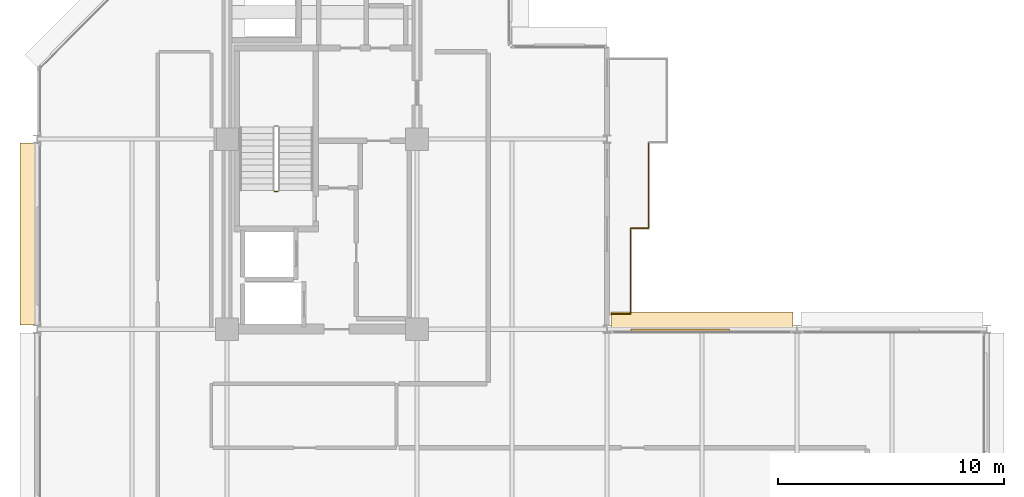
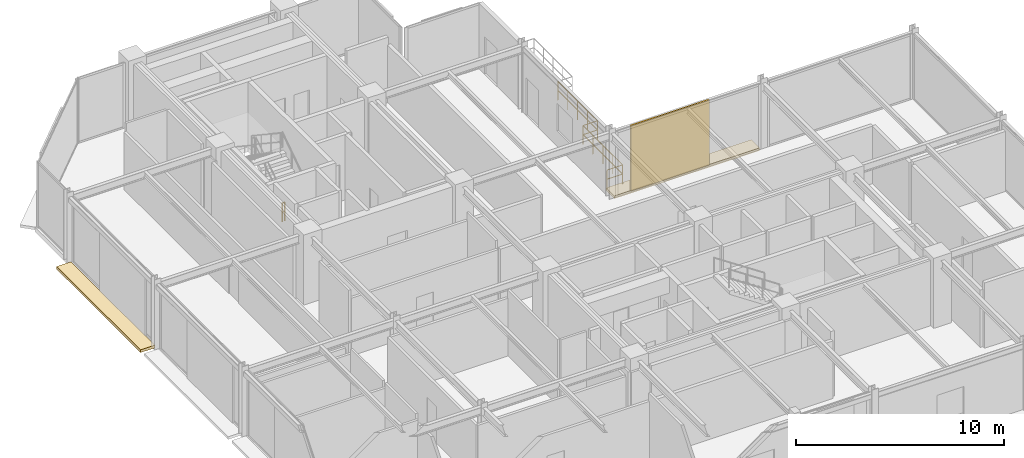
# One storey, part 24 of 26: 5 railings, 3 coverings.
"""IFC4 building model written with IfcOpenShell, lengths in metres."""

from ifc_helpers import new_model, si_unit, direction, frame, origin, origin_2d, place, context, subcontext, project, spatial, polyline, rectangle, circle, outline, extrude, material, layer, layer_set, type_object, element, save


model = new_model("IFC4")

# Units and contexts
model_context = context("Model", 3, precision=1e-05, world=origin(), true_north=direction((0.0, 1.0)))
body_context = subcontext(model_context, "Body", "Model", "MODEL_VIEW")
ifc_project = project(units=[si_unit("LENGTHUNIT", "METRE"), si_unit("AREAUNIT", "SQUARE_METRE"), si_unit("VOLUMEUNIT", "CUBIC_METRE"), si_unit("PLANEANGLEUNIT", "RADIAN"), si_unit("MASSUNIT", "GRAM", prefix="KILO")], contexts=[model_context])

# Site, building, storey
site_placement = place(None, origin())
site = spatial("IfcSite", under=ifc_project, at=site_placement, CompositionType="ELEMENT")
building_placement = place(site_placement, origin())
building = spatial("IfcBuilding", under=site, at=building_placement, Name="Nerrivon Quay Data Exchange", CompositionType="ELEMENT")
storey_placement = place(building_placement, frame((0.0, 0.0, 228.800048828125)))
storey = spatial("IfcBuildingStorey", under=building, at=storey_placement, Name="L54", CompositionType="ELEMENT", Elevation=228.800048828125)

# Coverings
ifc_material_1 = material(Name="Architectural terracotta ceramic", Category="masonry")
ifc_layer_1 = layer(ifc_material_1, 0.159912109375)
ifc_layer_set_1 = layer_set([ifc_layer_1], Name="Architectural terracotta ceramic")
covering_type_1 = type_object("IfcCoveringType", Name="COV-BLD-TERR", PredefinedType="CLADDING", material=ifc_layer_set_1)
covering_1_placement = place(storey_placement, frame((0.0, 0.0, -0.16015625)))
element("IfcCovering", 1, at=covering_1_placement, inside=storey, type_object=covering_type_1, Name="L54 Horizontal Terracotta SOLAR SCREEN Blade", PredefinedType="CLADDING", context=body_context, shape_type="SweptSolid", body=[
    extrude(outline(polyline([(0.0400390625, 25.375), (0.0400390625, 33.425048828125), (-0.75, 33.425048828125), (-0.75, 25.375), (0.0400390625, 25.375)])), origin(), (0.0, 0.0, 1.0), 0.16015625),
])
covering_2_placement = place(storey_placement, frame((0.0, 0.0, -0.16015625)))
element("IfcCovering", 2, at=covering_2_placement, inside=storey, type_object=covering_type_1, Name="L54 Horizontal Terracotta SOLAR SCREEN Blade", PredefinedType="CLADDING", context=body_context, shape_type="SweptSolid", body=[
    extrude(outline(polyline([(25.375, 25.159912109375), (33.425048828125, 25.159912109375), (33.425048828125, 25.949951171875), (25.375, 25.949951171875), (25.375, 25.159912109375)])), origin(), (0.0, 0.0, 1.0), 0.16015625),
])
ifc_layer_2 = layer(ifc_material_1, 0.090087890625)
ifc_layer_set_2 = layer_set([ifc_layer_2], Name="Architectural terracotta ceramic")
covering_type_2 = type_object("IfcCoveringType", Name="COV-SCR-TERR", PredefinedType="CLADDING", material=ifc_layer_set_2)
covering_3_placement = place(storey_placement, frame((28.43408203125, 25.155029296875, 0.0), z_axis=(0.0, 0.0, 1.0), x_axis=(1.0, 0.0, 0.0)))
element("IfcCovering", 3, at=covering_3_placement, inside=storey, type_object=covering_type_2, Name="L54 Perforated Terracotta SOLAR SCREEN Cassette", PredefinedType="CLADDING", context=body_context, shape_type="SweptSolid", body=[
    extrude(rectangle(XDim=4.346923828125, YDim=0.090087890625, at=origin_2d()), origin(), (0.0, 0.0, 1.0), 3.824951171875),
])

# Railings
ifc_material_2 = material(Name="Steel Grade C350L0 (350 MPa)", Category="steel")
railing_type_1 = type_object("IfcRailingType", Name="RAIL-GUARD-GR2", PredefinedType="BALUSTRADE", material=ifc_material_2)
railing_1_placement = place(storey_placement, frame((26.239990234375, 29.659912109375, 0.0)))
element("IfcRailing", 4, at=railing_1_placement, inside=storey, type_object=railing_type_1, Name="L54 Verandah Balcony Guard 1.1 1", PredefinedType="BALUSTRADE", context=body_context, shape_type="SweptSolid", body=[
    extrude(circle(Radius=0.02392578125, at=origin_2d()), frame((0.0, 0.0, 1.09619140625), z_axis=(0.0, -1.0, 0.0), x_axis=(1.0, 0.0, 0.0)), (0.0, 0.0, 1.0), 3.7998046875),
    extrude(circle(Radius=0.02392578125, at=origin_2d()), frame((0.0, 0.0, 0.56005859375), z_axis=(0.0, -1.0, 0.0), x_axis=(1.0, 0.0, 0.0)), (0.0, 0.0, 1.0), 3.7998046875),
    extrude(circle(Radius=0.02099609375, at=origin_2d()), origin(), (0.0, 0.0, 1.0), 1.072021484375),
    extrude(circle(Radius=0.02099609375, at=origin_2d()), frame((0.0, -0.949951171875, 0.0)), (0.0, 0.0, 1.0), 1.072021484375),
    extrude(circle(Radius=0.02099609375, at=origin_2d()), frame((0.0, -1.89990234375, 0.0)), (0.0, 0.0, 1.0), 1.072021484375),
    extrude(circle(Radius=0.02099609375, at=origin_2d()), frame((0.0, -2.849853515625, 0.0)), (0.0, 0.0, 1.0), 1.072021484375),
    extrude(circle(Radius=0.02099609375, at=origin_2d()), frame((0.0, -3.7998046875, 0.0)), (0.0, 0.0, 1.0), 1.072021484375),
])
railing_2_placement = place(storey_placement, frame((26.239990234375, 25.860107421875, 0.0)))
element("IfcRailing", 5, at=railing_2_placement, inside=storey, type_object=railing_type_1, Name="L54 Verandah Balcony Guard 1.2 1", PredefinedType="BALUSTRADE", context=body_context, shape_type="SweptSolid", body=[
    extrude(circle(Radius=0.02392578125, at=origin_2d()), frame((0.0, 0.0, 1.09619140625), z_axis=(-1.0, 0.0, 0.0), x_axis=(0.0, -1.0, 0.0)), (0.0, 0.0, 1.0), 0.860107421875),
    extrude(circle(Radius=0.02392578125, at=origin_2d()), frame((0.0, 0.0, 0.56005859375), z_axis=(-1.0, 0.0, 0.0), x_axis=(0.0, -1.0, 0.0)), (0.0, 0.0, 1.0), 0.860107421875),
    extrude(circle(Radius=0.02099609375, at=origin_2d()), origin(), (0.0, 0.0, 1.0), 1.072021484375),
    extrude(circle(Radius=0.02099609375, at=origin_2d()), frame((-0.860107421875, 0.0, 0.0)), (0.0, 0.0, 1.0), 1.072021484375),
])
railing_3_placement = place(storey_placement, frame((27.0400390625, 33.4599609375, 0.0)))
element("IfcRailing", 6, at=railing_3_placement, inside=storey, type_object=railing_type_1, Name="L54 Verandah Balcony Guard 1.6 1", PredefinedType="BALUSTRADE", context=body_context, shape_type="SweptSolid", body=[
    extrude(circle(Radius=0.02392578125, at=origin_2d()), frame((0.0, 0.0, 1.09619140625), z_axis=(0.0, -1.0, 0.0), x_axis=(1.0, 0.0, 0.0)), (0.0, 0.0, 1.0), 3.800048828125),
    extrude(circle(Radius=0.02392578125, at=origin_2d()), frame((0.0, 0.0, 0.56005859375), z_axis=(0.0, -1.0, 0.0), x_axis=(1.0, 0.0, 0.0)), (0.0, 0.0, 1.0), 3.800048828125),
    extrude(circle(Radius=0.02099609375, at=origin_2d()), origin(), (0.0, 0.0, 1.0), 1.072021484375),
    extrude(circle(Radius=0.02099609375, at=origin_2d()), frame((0.0, -0.949951171875, 0.0)), (0.0, 0.0, 1.0), 1.072021484375),
    extrude(circle(Radius=0.02099609375, at=origin_2d()), frame((0.0, -1.89990234375, 0.0)), (0.0, 0.0, 1.0), 1.072021484375),
    extrude(circle(Radius=0.02099609375, at=origin_2d()), frame((0.0, -2.85009765625, 0.0)), (0.0, 0.0, 1.0), 1.072021484375),
    extrude(circle(Radius=0.02099609375, at=origin_2d()), frame((0.0, -3.800048828125, 0.0)), (0.0, 0.0, 1.0), 1.072021484375),
])
railing_4_placement = place(storey_placement, frame((27.0400390625, 29.659912109375, 0.0)))
element("IfcRailing", 7, at=railing_4_placement, inside=storey, type_object=railing_type_1, Name="L54 Verandah Balcony Guard 1.7 1", PredefinedType="BALUSTRADE", context=body_context, shape_type="SweptSolid", body=[
    extrude(circle(Radius=0.02392578125, at=origin_2d()), frame((0.0, 0.0, 1.09619140625), z_axis=(-1.0, 0.0, 0.0), x_axis=(0.0, -1.0, 0.0)), (0.0, 0.0, 1.0), 0.800048828125),
    extrude(circle(Radius=0.02392578125, at=origin_2d()), frame((0.0, 0.0, 0.56005859375), z_axis=(-1.0, 0.0, 0.0), x_axis=(0.0, -1.0, 0.0)), (0.0, 0.0, 1.0), 0.800048828125),
    extrude(circle(Radius=0.02099609375, at=origin_2d()), origin(), (0.0, 0.0, 1.0), 1.072021484375),
    extrude(circle(Radius=0.02099609375, at=origin_2d()), frame((-0.800048828125, 0.0, 0.0)), (0.0, 0.0, 1.0), 1.072021484375),
])
railing_type_2 = type_object("IfcRailingType", Name="RAIL-STAIR-GR1", PredefinedType="BALUSTRADE", material=ifc_material_2)
railing_5_placement = place(storey_placement, frame((10.64990234375, 31.280029296875, 0.0)))
element("IfcRailing", 8, at=railing_5_placement, inside=storey, type_object=railing_type_2, Name="L54 ST01 stair guard 4", PredefinedType="BALUSTRADE", context=body_context, shape_type="SweptSolid", body=[
    extrude(circle(Radius=0.02392578125, at=origin_2d()), frame((0.0, 0.0, 1.076171875), z_axis=(-1.0, 0.0, 0.0), x_axis=(0.0, -1.0, 0.0)), (0.0, 0.0, 1.0), 0.14990234375),
    extrude(circle(Radius=0.02392578125, at=origin_2d()), frame((0.0, 0.0, 0.550048828125), z_axis=(-1.0, 0.0, 0.0), x_axis=(0.0, -1.0, 0.0)), (0.0, 0.0, 1.0), 0.14990234375),
    extrude(circle(Radius=0.02099609375, at=origin_2d()), origin(), (0.0, 0.0, 1.0), 1.052001953125),
    extrude(circle(Radius=0.02099609375, at=origin_2d()), frame((-0.14990234375, 0.0, 0.0)), (0.0, 0.0, 1.0), 1.052001953125),
])

save(model, "model.ifc")
